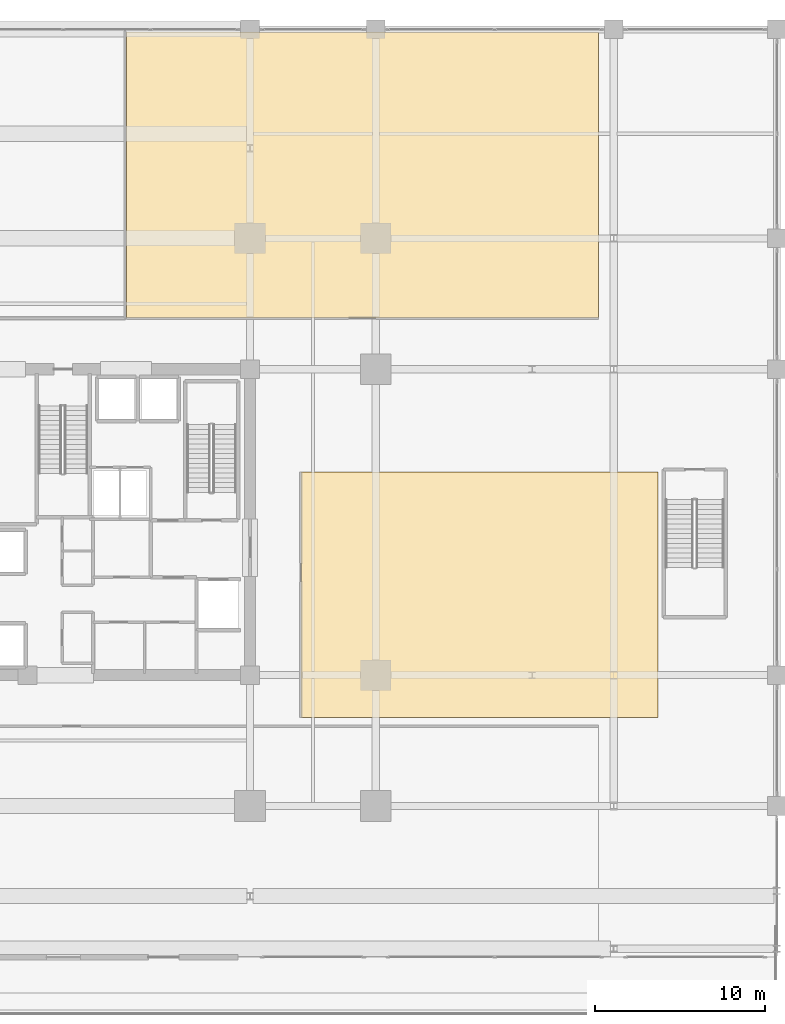
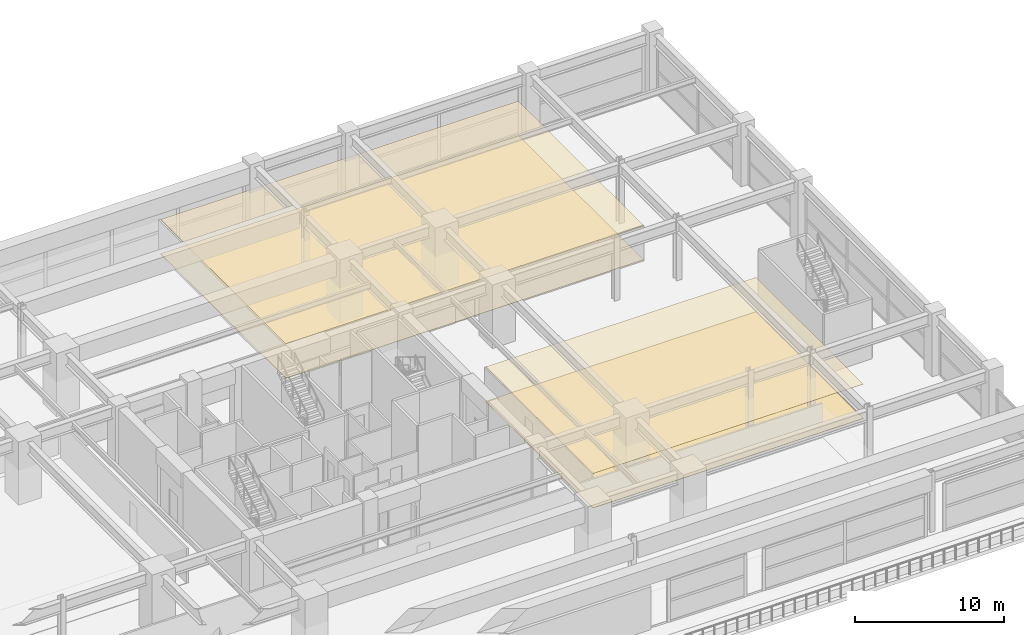
# One storey, part 44 of 45: 4 coverings.
"""IFC4 building model written with IfcOpenShell, lengths in metres."""

from ifc_helpers import new_model, si_unit, direction, frame, origin, place, context, subcontext, project, spatial, polyline, outline, extrude, material, layer, layer_set, type_object, element, save


model = new_model("IFC4")

# Units and contexts
model_context = context("Model", 3, precision=1e-05, world=origin(), true_north=direction((0.0, 1.0)))
body_context = subcontext(model_context, "Body", "Model", "MODEL_VIEW")
ifc_project = project(units=[si_unit("LENGTHUNIT", "METRE"), si_unit("AREAUNIT", "SQUARE_METRE"), si_unit("VOLUMEUNIT", "CUBIC_METRE"), si_unit("PLANEANGLEUNIT", "RADIAN"), si_unit("MASSUNIT", "GRAM", prefix="KILO")], contexts=[model_context])

# Site, building, storey
site_placement = place(None, origin())
site = spatial("IfcSite", under=ifc_project, at=site_placement, CompositionType="ELEMENT")
building_placement = place(site_placement, origin())
building = spatial("IfcBuilding", under=site, at=building_placement, Name="Kovane Verandah Tower", CompositionType="ELEMENT")
storey_placement = place(building_placement, frame((0.0, 0.0, 6.0)))
storey = spatial("IfcBuildingStorey", under=building, at=storey_placement, Name="L01", CompositionType="ELEMENT", Elevation=6.0)

# Coverings
ifc_material_1 = material(Name="Perforated Acoustic Mineral-Fibre Ceiling Tile", Category="gypsum")
ifc_layer_1 = layer(ifc_material_1, 0.02490234375)
ifc_layer_set_1 = layer_set([ifc_layer_1], Name="Perforated Acoustic Mineral-Fibre Ceiling Tile")
covering_type_1 = type_object("IfcCoveringType", Name="CV-CEIL-25", PredefinedType="CEILING", material=ifc_layer_set_1)
covering_1_placement = place(storey_placement, frame((0.0, 0.0, 2.824951171875)))
element("IfcCovering", 1, at=covering_1_placement, inside=storey, type_object=covering_type_1, Name="L01 Executive Seminar Auditorium Acoustic Ceiling", PredefinedType="CEILING", context=body_context, shape_type="SweptSolid", body=[
    extrude(outline(polyline([(43.719970703125, 39.5), (71.5, 39.5), (71.5, 56.35009765625), (43.719970703125, 56.35009765625), (43.719970703125, 39.5)])), origin(), (0.0, 0.0, 1.0), 0.025146484375),
])
covering_2_placement = place(storey_placement, frame((0.0, 0.0, 2.824951171875)))
element("IfcCovering", 2, at=covering_2_placement, inside=storey, type_object=covering_type_1, Name="L01 East Tenant Business Lounge Acoustic Ceiling", PredefinedType="CEILING", context=body_context, shape_type="SweptSolid", body=[
    extrude(outline(polyline([(54.0, 16.0), (75.0, 16.0), (75.0, 30.449951171875), (54.0, 30.449951171875), (54.0, 16.0)])), origin(), (0.0, 0.0, 1.0), 0.025146484375),
])
ifc_material_2 = material(Name="Polished Terrazzo and Raised-Access Carpet Tile Finish", Category="concrete")
ifc_layer_2 = layer(ifc_material_2, 0.030029296875)
ifc_layer_set_2 = layer_set([ifc_layer_2], Name="Polished Terrazzo and Raised-Access Carpet Tile Finish")
covering_type_2 = type_object("IfcCoveringType", Name="CV-FLOR-30", PredefinedType="FLOORING", material=ifc_layer_set_2)
covering_3_placement = place(storey_placement, origin())
element("IfcCovering", 3, at=covering_3_placement, inside=storey, type_object=covering_type_2, Name="L01 Executive Seminar Auditorium Floor Finish", PredefinedType="FLOORING", context=body_context, shape_type="SweptSolid", body=[
    extrude(outline(polyline([(43.719970703125, 39.5), (71.5, 39.5), (71.5, 56.35009765625), (43.719970703125, 56.35009765625), (43.719970703125, 39.5)])), origin(), (0.0, 0.0, 1.0), 0.030029296875),
])
covering_4_placement = place(storey_placement, origin())
element("IfcCovering", 4, at=covering_4_placement, inside=storey, type_object=covering_type_2, Name="L01 East Tenant Business Lounge Floor Finish", PredefinedType="FLOORING", context=body_context, shape_type="SweptSolid", body=[
    extrude(outline(polyline([(54.0, 16.0), (75.0, 16.0), (75.0, 30.449951171875), (54.0, 30.449951171875), (54.0, 16.0)])), origin(), (0.0, 0.0, 1.0), 0.030029296875),
])

save(model, "model.ifc")
